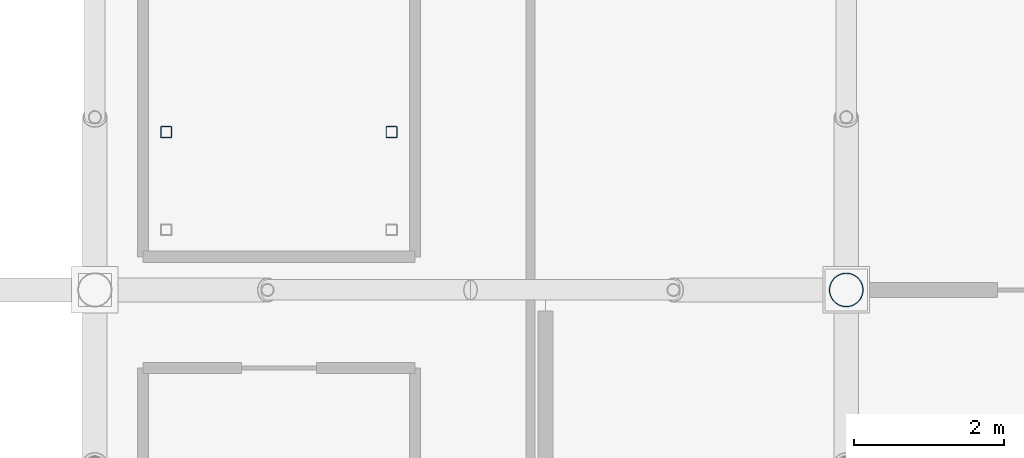
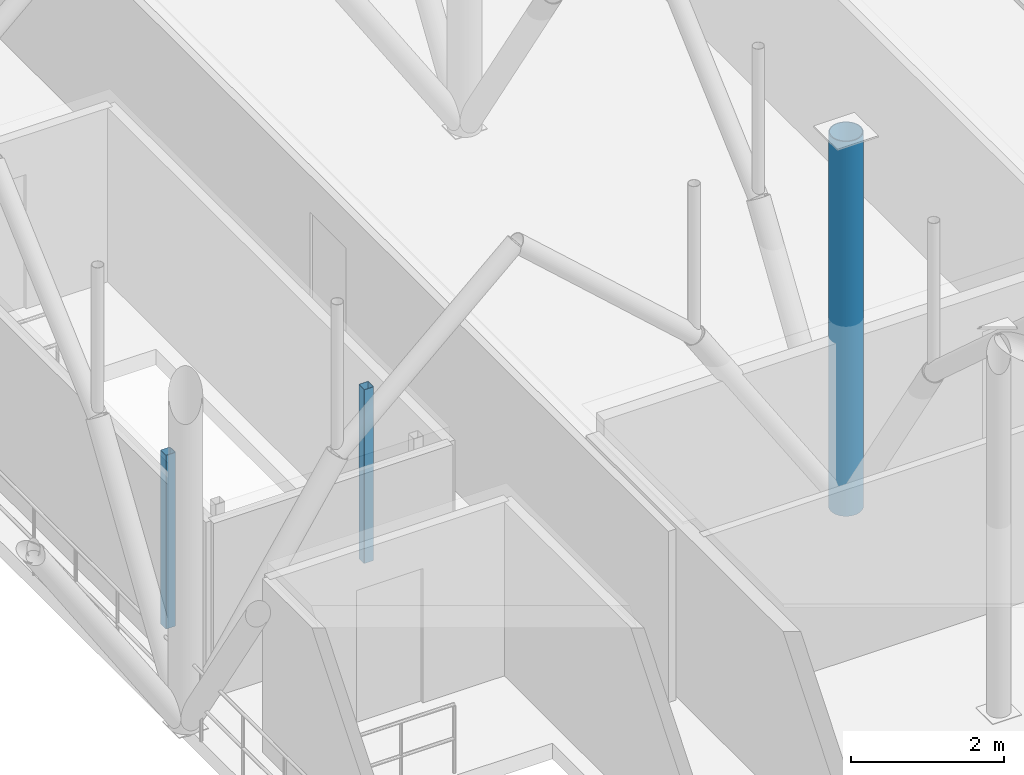
# One storey, part 11 of 109: 3 columns.
"""IFC4 building model written with IfcOpenShell, lengths in metres."""

from ifc_helpers import new_model, si_unit, derived_unit, direction, frame, origin, origin_2d_with_axis, place, context, subcontext, project, spatial, hollow_rectangle, hollow_circle, extrude, material, material_profile, profile_set, type_object, element, save


model = new_model("IFC4")

# Units and contexts
model_context = context("Model", 3, precision=1e-05, world=origin(), true_north=direction((0.0, 1.0)))
body_context = subcontext(model_context, "Body", "Model", "MODEL_VIEW")
ifc_project = project(units=[si_unit("LENGTHUNIT", "METRE"), si_unit("AREAUNIT", "SQUARE_METRE"), si_unit("VOLUMEUNIT", "CUBIC_METRE"), si_unit("PLANEANGLEUNIT", "RADIAN"), si_unit("MASSUNIT", "GRAM", prefix="KILO"), derived_unit("THERMALTRANSMITTANCEUNIT", [(si_unit("POWERUNIT", "WATT"), 1), (si_unit("LENGTHUNIT", "METRE"), -2), (si_unit("THERMODYNAMICTEMPERATUREUNIT", "KELVIN"), -1)])], contexts=[model_context])

# Site, building, storey
site_placement = place(None, origin())
site = spatial("IfcSite", under=ifc_project, at=site_placement, CompositionType="ELEMENT")
building_placement = place(site_placement, origin())
building = spatial("IfcBuilding", under=site, at=building_placement, Name="Cinnabar Yard Market Hall", CompositionType="ELEMENT")
storey_placement = place(building_placement, frame((0.0, 0.0, 8.39990234375)))
storey = spatial("IfcBuildingStorey", under=building, at=storey_placement, Name="L02", CompositionType="ELEMENT", Elevation=8.39990234375)

# Columns
ifc_material_1 = material(Name="Spotted-gum glulam-clad steel Grade 350 (350 MPa)", Category="steel")
ifc_material_profile_1 = material_profile(ifc_material_1, hollow_circle(Radius=0.228515625, WallThickness=0.0126953125, at=origin_2d_with_axis()), Name="457.0x12.7CHS")
ifc_profile_set_1 = profile_set([ifc_material_profile_1], Name="Spotted-gum glulam-clad steel Grade 350 (350 MPa)")
column_type_1 = type_object("IfcColumnType", Name="COL-C01", PredefinedType="COLUMN", material=ifc_profile_set_1)
column_placement = place(storey_placement, frame((156.0, 34.0, 0.0), z_axis=(0.0, 0.0, 1.0), x_axis=(1.0, 0.0, 0.0)))
element("IfcColumn", 1, at=column_placement, inside=storey, type_object=column_type_1, Name="Tree Column V1I-09-02 L02", PredefinedType="COLUMN", context=body_context, shape_type="SweptSolid", body=[
    extrude(hollow_circle(Radius=0.228515625, WallThickness=0.0126953125, at=origin_2d_with_axis()), origin(), (0.0, 0.0, 1.0), 6.0),
])
ifc_material_2 = material(Name="Cold-formed steel C350L0", Category="steel")
ifc_material_profile_2 = material_profile(ifc_material_2, hollow_rectangle(XDim=0.14990234375, YDim=0.14990234375, WallThickness=0.006103515625, InnerFilletRadius=0.006103515625, OuterFilletRadius=0.011962890625, at=origin_2d_with_axis()), Name="150x150x6.0SHS")
ifc_profile_set_2 = profile_set([ifc_material_profile_2], Name="Cold-formed steel C350L0")
column_type_2 = type_object("IfcColumnType", Name="COL-C16", PredefinedType="COLUMN", material=ifc_profile_set_2)
for number, where, z_axis, x_axis, name in (
    (2, (146.949951171875, 36.10009765625, 0.0), (0.0, 0.0, 1.0), (1.0, 0.0, 0.0), "Feature Stair Cap Post ST-F2-3"),
    (3, (149.949951171875, 36.10009765625, 0.0), (0.0, 0.0, 1.0), (1.0, 0.0, 0.0), "Feature Stair Cap Post ST-F2-4"),
):
    element("IfcColumn", number, at=place(storey_placement, frame(where, z_axis=z_axis, x_axis=x_axis)), inside=storey, type_object=column_type_2, Name=name, PredefinedType="COLUMN", context=body_context, shape_type="SweptSolid", body=[
        extrude(hollow_rectangle(XDim=0.14990234375, YDim=0.14990234375, WallThickness=0.006103515625, InnerFilletRadius=0.006103515625, OuterFilletRadius=0.011962890625, at=origin_2d_with_axis()), origin(), (0.0, 0.0, 1.0), 2.780029296875),
    ])

save(model, "model.ifc")
